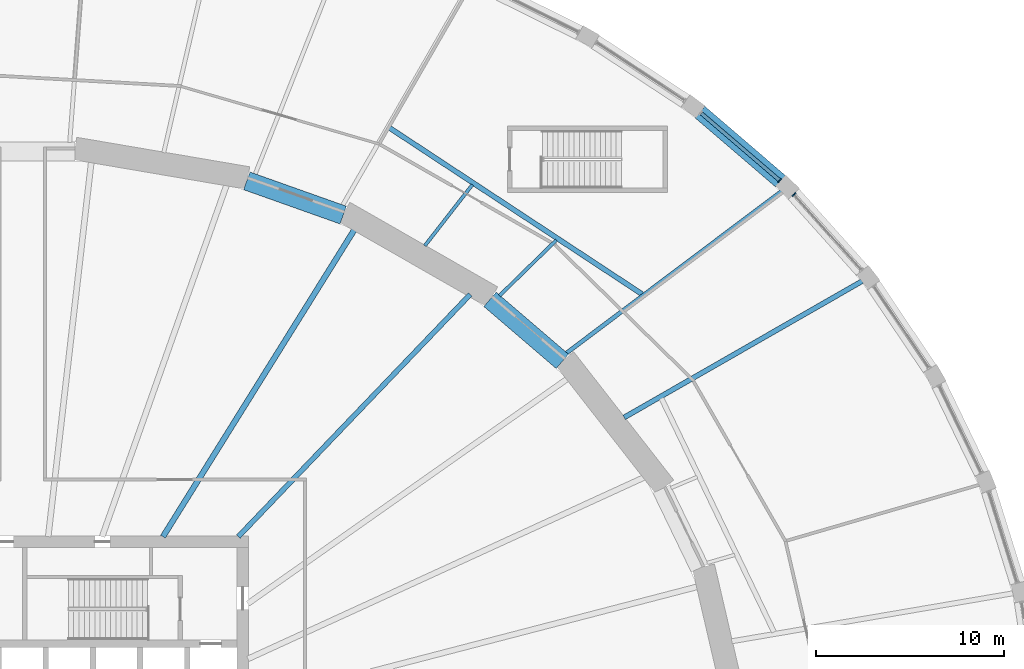
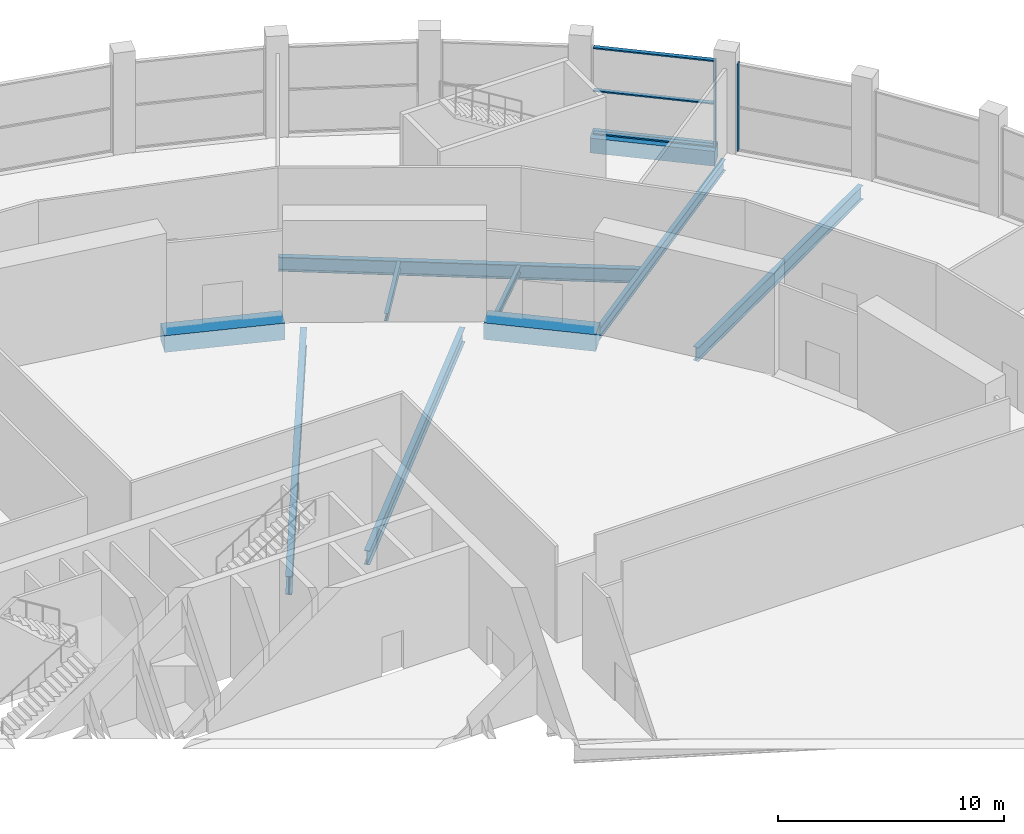
# One storey, part 16 of 29: 10 beams, 5 members, 2 elements without a shape of their own.
"""IFC4 building model written with IfcOpenShell, lengths in metres."""

from ifc_helpers import new_model, si_unit, direction, frame, origin, origin_2d, place, context, subcontext, project, spatial, rectangle, i_section, extrude, material, material_profile, profile_set, type_object, element, aggregate, save


model = new_model("IFC4")

# Units and contexts
model_context = context("Model", 3, precision=1e-05, world=origin(), true_north=direction((0.0, 1.0)))
body_context = subcontext(model_context, "Body", "Model", "MODEL_VIEW")
ifc_project = project(units=[si_unit("LENGTHUNIT", "METRE"), si_unit("AREAUNIT", "SQUARE_METRE"), si_unit("VOLUMEUNIT", "CUBIC_METRE"), si_unit("PLANEANGLEUNIT", "RADIAN"), si_unit("MASSUNIT", "GRAM", prefix="KILO")], contexts=[model_context])

# Site, building, storey
site_placement = place(None, origin())
site = spatial("IfcSite", under=ifc_project, at=site_placement, CompositionType="ELEMENT")
building_placement = place(site_placement, origin())
building = spatial("IfcBuilding", under=site, at=building_placement, Name="Halqa Exchange Tower", CompositionType="ELEMENT")
storey_placement = place(building_placement, frame((0.0, 0.0, 7.0)))
storey = spatial("IfcBuildingStorey", under=building, at=storey_placement, Name="L01", CompositionType="ELEMENT", Elevation=7.0)

# Curtain wall, member
ifc_material_1 = material(Name="Anodised aluminium and clear glass", Category="aluminium")
curtain_wall_type = type_object("IfcCurtainWallType", Name="Exchange hall glazing", PredefinedType="NOTDEFINED", material=ifc_material_1)
curtain_wall_1_placement = place(storey_placement, origin())
curtain_wall_1 = element("IfcCurtainWall", 1, at=curtain_wall_1_placement, inside=storey, type_object=curtain_wall_type, Name="Exchange hall glazing run P5", PredefinedType="NOTDEFINED")
ifc_material_2 = material(Name="Anodised aluminium", Category="aluminium")
ifc_material_profile_1 = material_profile(ifc_material_2, rectangle(XDim=0.25, YDim=0.070068359375, at=origin_2d()), Name="AL 70x250")
ifc_profile_set_1 = profile_set([ifc_material_profile_1], Name="Anodised aluminium")
member_type_1 = type_object("IfcMemberType", Name="Exchange hall glazing mullion 70 x 250", PredefinedType="MULLION", material=ifc_profile_set_1)
member_1_placement = place(storey_placement, frame((40.9560546875, 30.12890625, 0.0), z_axis=(0.0, 0.0, 1.0), x_axis=(-0.74514769466, -0.666899477539, 0.0)))
member_1 = element("IfcMember", 2, at=member_1_placement, type_object=member_type_1, Name="P5 mullion 2", PredefinedType="MULLION", context=body_context, shape_type="SweptSolid", body=[
    extrude(rectangle(XDim=0.25, YDim=0.070068359375, at=origin_2d()), origin(), (0.0, 0.0, 1.0), 4.699951171875),
])
aggregate(curtain_wall_1, [member_1])

# Curtain wall, members
curtain_wall_2_placement = place(storey_placement, origin())
curtain_wall_2 = element("IfcCurtainWall", 3, at=curtain_wall_2_placement, inside=storey, type_object=curtain_wall_type, Name="Exchange hall glazing run P6", PredefinedType="NOTDEFINED")
member_2_placement = place(storey_placement, frame((40.193115234375, 30.8759765625, 0.0), z_axis=(0.0, 0.0, 1.0), x_axis=(-0.650910929175, -0.759154109704, 0.0)))
member_2 = element("IfcMember", 4, at=member_2_placement, type_object=member_type_1, Name="P6 mullion 1", PredefinedType="MULLION", context=body_context, shape_type="SweptSolid", body=[
    extrude(rectangle(XDim=0.25, YDim=0.070068359375, at=origin_2d()), origin(), (0.0, 0.0, 1.0), 4.699951171875),
])
ifc_material_profile_2 = material_profile(ifc_material_2, rectangle(XDim=0.199951171875, YDim=0.070068359375, at=origin_2d()), Name="AL 70x200")
ifc_profile_set_2 = profile_set([ifc_material_profile_2], Name="Anodised aluminium")
member_type_2 = type_object("IfcMemberType", Name="Exchange hall glazing transom 70 x 200", PredefinedType="USERDEFINED", material=ifc_profile_set_2)
member_3_placement = place(storey_placement, frame((40.16650390625, 30.898681640625, 0.034912109375), z_axis=(-0.759142529619, 0.650924434727, 0.0), x_axis=(-0.650924434727, -0.759142529619, 0.0)))
member_3 = element("IfcMember", 5, at=member_3_placement, type_object=member_type_2, Name="P6 transom 1.1", ObjectType="TRANSOM", PredefinedType="USERDEFINED", context=body_context, shape_type="SweptSolid", body=[
    extrude(rectangle(XDim=0.199951171875, YDim=0.070068359375, at=origin_2d()), origin(), (0.0, 0.0, 1.0), 5.439208984375),
])
member_4_placement = place(storey_placement, frame((40.16650390625, 30.898681640625, 2.35009765625), z_axis=(-0.759142529619, 0.650924434727, 0.0), x_axis=(-0.650924434727, -0.759142529619, 0.0)))
member_4 = element("IfcMember", 6, at=member_4_placement, type_object=member_type_2, Name="P6 transom 1.2", ObjectType="TRANSOM", PredefinedType="USERDEFINED", context=body_context, shape_type="SweptSolid", body=[
    extrude(rectangle(XDim=0.199951171875, YDim=0.070068359375, at=origin_2d()), origin(), (0.0, 0.0, 1.0), 5.439208984375),
])
member_5_placement = place(storey_placement, frame((40.16650390625, 30.898681640625, 4.6650390625), z_axis=(-0.759142529619, 0.650924434727, 0.0), x_axis=(-0.650924434727, -0.759142529619, 0.0)))
member_5 = element("IfcMember", 7, at=member_5_placement, type_object=member_type_2, Name="P6 transom 1.3", ObjectType="TRANSOM", PredefinedType="USERDEFINED", context=body_context, shape_type="SweptSolid", body=[
    extrude(rectangle(XDim=0.199951171875, YDim=0.070068359375, at=origin_2d()), origin(), (0.0, 0.0, 1.0), 5.439208984375),
])
aggregate(curtain_wall_2, [member_2, member_3, member_4, member_5])

# Beams
ifc_material_3 = material(Name="Steel S355", Category="steel")
ifc_material_profile_3 = material_profile(ifc_material_3, i_section(OverallWidth=0.300048828125, OverallDepth=0.989990234375, WebThickness=0.0166015625, FlangeThickness=0.031005859375, FilletRadius=0.030029296875, at=origin_2d()), Name="HEA 1000")
ifc_profile_set_3 = profile_set([ifc_material_profile_3], Name="Steel S355")
beam_type_1 = type_object("IfcBeamType", Name="Floor beam HEA 1000", PredefinedType="BEAM", material=ifc_profile_set_3)
beam_1_placement = place(storey_placement, frame((7.46533203125, 11.971435546875, -0.844970703125), z_axis=(0.529145823441, 0.848530905468, 0.0), x_axis=(-0.848530905468, 0.529145823441, 0.0)))
element("IfcBeam", 8, at=beam_1_placement, inside=storey, type_object=beam_type_1, Name="Radial beam 6", PredefinedType="BEAM", context=body_context, shape_type="SweptSolid", body=[
    extrude(i_section(OverallWidth=0.300048828125, OverallDepth=0.989990234375, WebThickness=0.0166015625, FlangeThickness=0.031005859375, FilletRadius=0.030029296875, at=origin_2d()), origin(), (0.0, 0.0, 1.0), 19.27294921875),
])
ifc_material_profile_4 = material_profile(ifc_material_3, i_section(OverallWidth=0.179931640625, OverallDepth=0.39990234375, WebThickness=0.008544921875, FlangeThickness=0.013427734375, FilletRadius=0.02099609375, at=origin_2d()), Name="IPE 400")
ifc_profile_set_4 = profile_set([ifc_material_profile_4], Name="Steel S355")
beam_type_2 = type_object("IfcBeamType", Name="Floor beam IPE 400", PredefinedType="BEAM", material=ifc_profile_set_4)
beam_2_placement = place(storey_placement, frame((25.322265625, 24.757080078125, -0.550048828125), z_axis=(0.715007310884, 0.699116975464, 0.0), x_axis=(-0.699116975464, 0.715007310884, 0.0)))
element("IfcBeam", 9, at=beam_2_placement, inside=storey, type_object=beam_type_2, Name="Radial beam 7a", PredefinedType="BEAM", context=body_context, shape_type="SweptSolid", body=[
    extrude(i_section(OverallWidth=0.179931640625, OverallDepth=0.39990234375, WebThickness=0.008544921875, FlangeThickness=0.013427734375, FilletRadius=0.02099609375, at=origin_2d()), origin(), (0.0, 0.0, 1.0), 4.22509765625),
])
beam_3_placement = place(storey_placement, frame((21.3603515625, 27.40966796875, -0.550048828125), z_axis=(0.614706293657, 0.788756091919, 0.0), x_axis=(-0.788756091919, 0.614706293657, 0.0)))
element("IfcBeam", 10, at=beam_3_placement, inside=storey, type_object=beam_type_2, Name="Radial beam 8a", PredefinedType="BEAM", context=body_context, shape_type="SweptSolid", body=[
    extrude(i_section(OverallWidth=0.179931640625, OverallDepth=0.39990234375, WebThickness=0.008544921875, FlangeThickness=0.013427734375, FilletRadius=0.02099609375, at=origin_2d()), origin(), (0.0, 0.0, 1.0), 4.104248046875),
])
ifc_material_profile_5 = material_profile(ifc_material_3, i_section(OverallWidth=0.219970703125, OverallDepth=0.60009765625, WebThickness=0.011962890625, FlangeThickness=0.01904296875, FilletRadius=0.02392578125, at=origin_2d()), Name="IPE 600")
ifc_profile_set_5 = profile_set([ifc_material_profile_5], Name="Steel S355")
beam_type_3 = type_object("IfcBeamType", Name="Floor beam IPE 600", PredefinedType="BEAM", material=ifc_profile_set_5)
beam_4_placement = place(storey_placement, frame((28.875732421875, 21.71240234375, -0.64990234375), z_axis=(0.799257291391, 0.600989003359, 0.0), x_axis=(-0.600989003359, 0.799257291391, 0.0)))
element("IfcBeam", 11, at=beam_4_placement, inside=storey, type_object=beam_type_3, Name="Radial beam 6", PredefinedType="BEAM", context=body_context, shape_type="SweptSolid", body=[
    extrude(i_section(OverallWidth=0.219970703125, OverallDepth=0.60009765625, WebThickness=0.011962890625, FlangeThickness=0.01904296875, FilletRadius=0.02392578125, at=origin_2d()), origin(), (0.0, 0.0, 1.0), 14.291259765625),
])
ifc_material_profile_6 = material_profile(ifc_material_3, i_section(OverallWidth=0.264892578125, OverallDepth=0.7529296875, WebThickness=0.01318359375, FlangeThickness=0.01708984375, FilletRadius=0.01708984375, at=origin_2d()), Name="IPE 750x147")
ifc_profile_set_6 = profile_set([ifc_material_profile_6], Name="Steel S355")
beam_type_4 = type_object("IfcBeamType", Name="Floor beam IPE 750x147", PredefinedType="BEAM", material=ifc_profile_set_6)
beam_5_placement = place(storey_placement, frame((31.942626953125, 18.300048828125, -0.7265625), z_axis=(0.867691436398, 0.497103179633, 0.0), x_axis=(-0.497103179633, 0.867691436398, 0.0)))
element("IfcBeam", 12, at=beam_5_placement, inside=storey, type_object=beam_type_4, Name="Radial beam 5", PredefinedType="BEAM", context=body_context, shape_type="SweptSolid", body=[
    extrude(i_section(OverallWidth=0.264892578125, OverallDepth=0.7529296875, WebThickness=0.01318359375, FlangeThickness=0.01708984375, FilletRadius=0.01708984375, at=origin_2d()), origin(), (0.0, 0.0, 1.0), 14.555908203125),
])
ifc_material_profile_7 = material_profile(ifc_material_3, i_section(OverallWidth=0.26806640625, OverallDepth=0.77001953125, WebThickness=0.015625, FlangeThickness=0.025390625, FilletRadius=0.01708984375, at=origin_2d()), Name="IPE 750x196")
ifc_profile_set_7 = profile_set([ifc_material_profile_7], Name="Steel S355")
beam_type_5 = type_object("IfcBeamType", Name="Floor beam IPE 750x196", PredefinedType="BEAM", material=ifc_profile_set_7)
beam_6_placement = place(storey_placement, frame((11.46240234375, 11.9716796875, -0.735107421875), z_axis=(0.6915763718, 0.722303344841, 0.0), x_axis=(-0.722303344841, 0.6915763718, 0.0)))
element("IfcBeam", 13, at=beam_6_placement, inside=storey, type_object=beam_type_5, Name="Radial beam 5", PredefinedType="BEAM", context=body_context, shape_type="SweptSolid", body=[
    extrude(i_section(OverallWidth=0.26806640625, OverallDepth=0.77001953125, WebThickness=0.015625, FlangeThickness=0.025390625, FilletRadius=0.01708984375, at=origin_2d()), origin(), (0.0, 0.0, 1.0), 17.7978515625),
])
beam_7_placement = place(storey_placement, frame((32.896728515625, 24.839599609375, -0.735107421875), z_axis=(-0.835204203593, 0.54993994063, 0.0), x_axis=(-0.54993994063, -0.835204203593, 0.0)))
element("IfcBeam", 14, at=beam_7_placement, inside=storey, type_object=beam_type_5, Name="Radial beam TPS1-in", PredefinedType="BEAM", context=body_context, shape_type="SweptSolid", body=[
    extrude(i_section(OverallWidth=0.26806640625, OverallDepth=0.77001953125, WebThickness=0.015625, FlangeThickness=0.025390625, FilletRadius=0.01708984375, at=origin_2d()), origin(), (0.0, 0.0, 1.0), 16.07958984375),
])
ifc_material_4 = material(Name="Concrete C60/75", Category="concrete")
ifc_material_profile_8 = material_profile(ifc_material_4, rectangle(XDim=0.800048828125, YDim=0.800048828125, at=origin_2d()), Name="800 x 800")
ifc_profile_set_8 = profile_set([ifc_material_profile_8], Name="Concrete C60/75")
beam_type_6 = type_object("IfcBeamType", Name="RC podium edge beam 800 x 800 C60/75", PredefinedType="SPANDREL", material=ifc_profile_set_8)
beam_8_placement = place(storey_placement, frame((40.240478515625, 30.83544921875, -0.39990234375), z_axis=(-0.759174010844, 0.650887717859, 0.0), x_axis=(-0.650887717859, -0.759174010844, 0.0)))
element("IfcBeam", 15, at=beam_8_placement, inside=storey, type_object=beam_type_6, Name="Podium edge beam 6", PredefinedType="SPANDREL", context=body_context, shape_type="SweptSolid", body=[
    extrude(rectangle(XDim=0.800048828125, YDim=0.800048828125, at=origin_2d()), origin(), (0.0, 0.0, 1.0), 5.63427734375),
])
ifc_material_profile_9 = material_profile(ifc_material_4, rectangle(XDim=1.0, YDim=0.89990234375, at=origin_2d()), Name="1000 x 900")
ifc_profile_set_9 = profile_set([ifc_material_profile_9], Name="Concrete C60/75")
beam_type_7 = type_object("IfcBeamType", Name="RC spandrel beam 1000 x 900 C60/75", PredefinedType="SPANDREL", material=ifc_profile_set_9)
beam_9_placement = place(storey_placement, frame((28.659423828125, 21.27587890625, -0.449951171875), z_axis=(-0.759263417999, 0.650783421799, 0.0), x_axis=(-0.650783421799, -0.759263417999, 0.0)))
element("IfcBeam", 16, at=beam_9_placement, inside=storey, type_object=beam_type_7, Name="Spandrel 4", PredefinedType="SPANDREL", context=body_context, shape_type="SweptSolid", body=[
    extrude(rectangle(XDim=1.0, YDim=0.89990234375, at=origin_2d()), origin(), (0.0, 0.0, 1.0), 5.056884765625),
])
beam_10_placement = place(storey_placement, frame((17.030029296875, 29.038818359375, -0.449951171875), z_axis=(-0.942357788657, 0.334606930826, 0.0), x_axis=(-0.334606930826, -0.942357788657, 0.0)))
element("IfcBeam", 17, at=beam_10_placement, inside=storey, type_object=beam_type_7, Name="Spandrel 6", PredefinedType="SPANDREL", context=body_context, shape_type="SweptSolid", body=[
    extrude(rectangle(XDim=1.0, YDim=0.89990234375, at=origin_2d()), origin(), (0.0, 0.0, 1.0), 5.429931640625),
])

save(model, "model.ifc")
